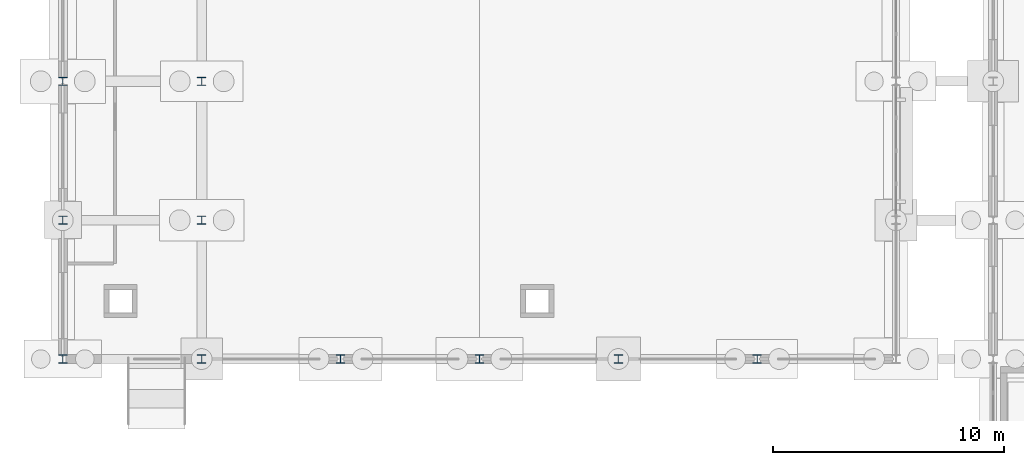
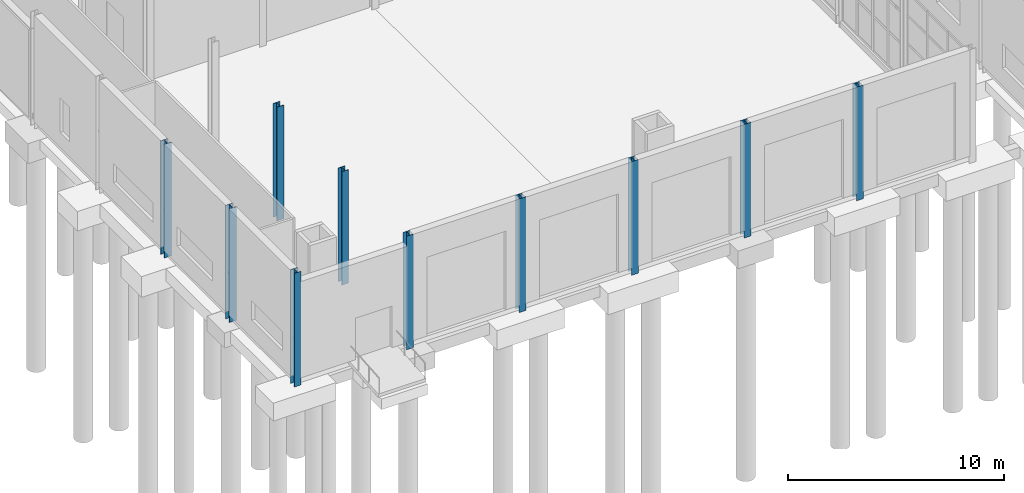
# One storey, part 8 of 120: 10 columns.
"""IFC4 building model written with IfcOpenShell, lengths in metres."""

import ifcopenshell
import ifcopenshell.guid

model = None  # the IFC model being written
_history = None  # IfcOwnerHistory: only IFC2X3 demands one
_inside = {}  # id of a spatial element -> (the spatial element, [elements in it])
_under = {}  # id of a project, library or spatial element -> (it, [spatial elements below it])
_declared = {}  # id of a project -> (the project, [libraries it declares])
_typed = {}  # id of a type object -> (the type object, [elements of that type])
_made_of = {}  # id of a material, layer set ... -> (it, [elements and type objects made of it])


def new_model(schema):
    """Start an empty IFC model of exactly this schema.

    Asked for "IFC4X3", IfcOpenShell would pick the latest addendum, in which some entities
    have other attributes; the version numbers below select the first issue.
    IFC2X3 requires an IfcOwnerHistory on every rooted entity: one is made here for all.
    """
    global model, _history
    if schema == "IFC4X3":
        model = ifcopenshell.file(schema_version=(4, 3, 0, 0))
    else:
        model = ifcopenshell.file(schema=schema)
    _inside.clear()
    _under.clear()
    _declared.clear()
    _typed.clear()
    _made_of.clear()
    _history = None
    if model.schema == "IFC2X3":
        org = make("IfcOrganization", Name="unknown")
        user = make(
            "IfcPersonAndOrganization",
            ThePerson=make("IfcPerson", FamilyName="unknown"),
            TheOrganization=org,
        )
        app = make(
            "IfcApplication",
            ApplicationDeveloper=org,
            Version="unknown",
            ApplicationFullName="unknown",
            ApplicationIdentifier="unknown",
        )
        _history = make(
            "IfcOwnerHistory",
            OwningUser=user,
            OwningApplication=app,
            ChangeAction="ADDED",
            CreationDate=0,
        )
    return model


def make(cls, **values):
    """One entity of the class cls with the attributes given. An attribute that is None is left unset."""
    return model.create_entity(
        cls, **{name: value for name, value in values.items() if value is not None}
    )


def rooted(cls, **values):
    """An entity with a GlobalId (a new one), such as an element, a storey or a relation."""
    return make(cls, GlobalId=ifcopenshell.guid.new(), OwnerHistory=_history, **values)


def si_unit(unit_type, name, prefix=None):
    """IfcSIUnit, for example si_unit("LENGTHUNIT", "METRE", prefix="MILLI")."""
    return make("IfcSIUnit", UnitType=unit_type, Prefix=prefix, Name=name)


def assignment(units):
    """IfcUnitAssignment: the units of a project."""
    return None if units is None else make("IfcUnitAssignment", Units=units)


def point(xyz):
    """IfcCartesianPoint."""
    return None if xyz is None else make("IfcCartesianPoint", Coordinates=xyz)


def direction(xyz):
    """IfcDirection."""
    return None if xyz is None else make("IfcDirection", DirectionRatios=xyz)


def frame(location, z_axis=None, x_axis=None):
    """IfcAxis2Placement3D, a coordinate frame: its origin and axes. An axis left out is left unset."""
    return make(
        "IfcAxis2Placement3D",
        Location=point(location),
        Axis=direction(z_axis),
        RefDirection=direction(x_axis),
    )


def frame_2d(location, x_axis=None):
    """IfcAxis2Placement2D, a coordinate frame in the plane: its origin and x axis."""
    return make(
        "IfcAxis2Placement2D", Location=point(location), RefDirection=direction(x_axis)
    )


def origin():
    """The frame at (0, 0, 0) with its axes left unset."""
    return frame((0.0, 0.0, 0.0))


def origin_2d():
    """The frame at (0, 0) in the plane with its x axis left unset."""
    return frame_2d((0.0, 0.0))


def place(relative_to, where):
    """IfcLocalPlacement: puts the frame where relative to a parent placement (None: the world)."""
    return make(
        "IfcLocalPlacement", PlacementRelTo=relative_to, RelativePlacement=where
    )


def context(
    kind, dimensions, precision=None, world=None, true_north=None, identifier=None
):
    """IfcGeometricRepresentationContext, for example the 3D "Model" context."""
    return make(
        "IfcGeometricRepresentationContext",
        ContextIdentifier=identifier,
        ContextType=kind,
        CoordinateSpaceDimension=dimensions,
        Precision=precision,
        WorldCoordinateSystem=world,
        TrueNorth=true_north,
    )


def subcontext(parent, identifier, kind, view, scale=None):
    """IfcGeometricRepresentationSubContext, for example "Body" below "Model"."""
    return make(
        "IfcGeometricRepresentationSubContext",
        ContextIdentifier=identifier,
        ContextType=kind,
        ParentContext=parent,
        TargetScale=scale,
        TargetView=view,
    )


def project(units=None, contexts=None):
    """IfcProject with its units and contexts."""
    return rooted(
        "IfcProject",
        Name="project",
        RepresentationContexts=contexts,
        UnitsInContext=assignment(units),
    )


def spatial(cls, under=None, at=None, **own):
    """A site, building, storey or space (cls), placed at a placement, below another one or the project."""
    s = rooted(cls, ObjectPlacement=at, **own)
    if under is not None:
        _under.setdefault(under.id(), (under, []))[1].append(s)
    return s


def profile(cls, at=None, kind="AREA", **sizes):
    """A parametric profile (cls). Its sizes go by their IFC names, for example OverallWidth=200.0."""
    return make(cls, ProfileType=kind, Position=at, **sizes)


def i_section(**sizes):
    """IfcIShapeProfileDef."""
    return profile("IfcIShapeProfileDef", **sizes)


def extrude(swept, where, along, depth):
    """IfcExtrudedAreaSolid: the profile swept, set in the frame where, extruded along a direction by depth."""
    return make(
        "IfcExtrudedAreaSolid",
        SweptArea=swept,
        Position=where,
        ExtrudedDirection=direction(along),
        Depth=depth,
    )


def shape(context_of_items, identifier, shape_type, items):
    """IfcShapeRepresentation: the items that make up one representation, for example the "Body"."""
    return make(
        "IfcShapeRepresentation",
        ContextOfItems=context_of_items,
        RepresentationIdentifier=identifier,
        RepresentationType=shape_type,
        Items=items,
    )


def material(Name=None, Category=None):
    """IfcMaterial."""
    return make("IfcMaterial", Name=Name, Category=Category)


def material_profile(
    of_material, cross_section, Name=None, Category=None, Priority=None
):
    """IfcMaterialProfile: a cross section and its material."""
    return make(
        "IfcMaterialProfile",
        Name=Name,
        Material=of_material,
        Profile=cross_section,
        Priority=Priority,
        Category=Category,
    )


def profile_set(profiles, Name=None, composite=None):
    """IfcMaterialProfileSet."""
    return make(
        "IfcMaterialProfileSet",
        Name=Name,
        MaterialProfiles=profiles,
        CompositeProfile=composite,
    )


def made_of(thing, what):
    """Note that an element or type object is made of a material, layer set ...; save() writes the relation."""
    if what is not None:
        _made_of.setdefault(what.id(), (what, []))[1].append(thing)
    return thing


def type_object(cls, material=None, **own):
    """A type object (cls), such as IfcWallType, which elements share."""
    return made_of(rooted(cls, **own), material)


def element(
    cls,
    number,
    at=None,
    inside=None,
    cuts=None,
    type_object=None,
    material=None,
    context=None,
    identifier="Body",
    shape_type=None,
    held_by="IfcProductDefinitionShape",
    body=None,
    shapes=None,
    **own,
):
    """One element of the class cls, such as IfcWall. Its Tag is "e" and its number.

    at: its placement. inside: the storey or other place that contains it. cuts: it is an
    opening in that element (IfcRelVoidsElement). A single representation is given by context,
    identifier, shape_type and body (its items); several are given by shapes. held_by: the class
    of the entity that holds the representations. save() writes the other relations.
    """
    e = rooted(cls, Tag="e%d" % number, ObjectPlacement=at, **own)
    if body is not None:
        shapes = [shape(context, identifier, shape_type, body)]
    if shapes is not None:
        e.Representation = make(held_by, Representations=shapes)
    if inside is not None:
        _inside.setdefault(inside.id(), (inside, []))[1].append(e)
    if cuts is not None:
        rooted(
            "IfcRelVoidsElement", RelatingBuildingElement=cuts, RelatedOpeningElement=e
        )
    if type_object is not None:
        _typed.setdefault(type_object.id(), (type_object, []))[1].append(e)
    return made_of(e, material)


def aggregate(whole, parts):
    """IfcRelAggregates: a whole, such as a stair, and the parts it consists of."""
    return rooted("IfcRelAggregates", RelatingObject=whole, RelatedObjects=parts)


def save(model, path):
    """Write the relations noted so far, then the file.

    IfcRelAggregates (storeys below a building ...), IfcRelContainedInSpatialStructure (elements
    in a storey), IfcRelDefinesByType, IfcRelAssociatesMaterial and IfcRelDeclares: one each for
    every whole, place, type object, material and project.
    """
    for whole, parts in _under.values():
        aggregate(whole, parts)
    for where, things in _inside.values():
        rooted(
            "IfcRelContainedInSpatialStructure",
            RelatedElements=things,
            RelatingStructure=where,
        )
    for kind, things in _typed.values():
        rooted("IfcRelDefinesByType", RelatedObjects=things, RelatingType=kind)
    for what, things in _made_of.values():
        rooted("IfcRelAssociatesMaterial", RelatedObjects=things, RelatingMaterial=what)
    for by, libraries in _declared.values():
        rooted("IfcRelDeclares", RelatingContext=by, RelatedDefinitions=libraries)
    model.write(path)


model = new_model("IFC4")

# Units and contexts
model_context = context("Model", 3, precision=1e-05, world=origin(), true_north=direction((0.0, 1.0)))
body_context = subcontext(model_context, "Body", "Model", "MODEL_VIEW")
ifc_project = project(units=[si_unit("LENGTHUNIT", "METRE"), si_unit("AREAUNIT", "SQUARE_METRE"), si_unit("VOLUMEUNIT", "CUBIC_METRE"), si_unit("PLANEANGLEUNIT", "RADIAN"), si_unit("MASSUNIT", "GRAM", prefix="KILO")], contexts=[model_context])

# Site, building, storey
site_placement = place(None, origin())
site = spatial("IfcSite", under=ifc_project, at=site_placement, CompositionType="ELEMENT")
building_placement = place(site_placement, origin())
building = spatial("IfcBuilding", under=site, at=building_placement, Name="Siltcreek Boulevard Central Fire Station", CompositionType="ELEMENT")
storey_placement = place(building_placement, origin())
storey = spatial("IfcBuildingStorey", under=building, at=storey_placement, Name="L01", CompositionType="ELEMENT", Elevation=0.0)

# Columns
ifc_material = material(Name="Structural steel ASTM A992 Gr50", Category="steel")
ifc_material_profile = material_profile(ifc_material, i_section(OverallWidth=0.368896484375, OverallDepth=0.35595703125, WebThickness=0.01123046875, FlangeThickness=0.01806640625, at=origin_2d()), Name="W360X134")
ifc_profile_set = profile_set([ifc_material_profile], Name="Structural steel ASTM A992 Gr50")
column_type = type_object("IfcColumnType", Name="COL_W360X134", PredefinedType="COLUMN", material=ifc_profile_set)
for number, where, z_axis, x_axis, name in (
    (1, (1.800048828125, 18.0, -0.409912109375), (0.0, 0.0, 1.0), (1.0, 0.0, 0.0), "L01 structural column COLG-L01-18-180"),
    (2, (1.800048828125, 24.0, -0.409912109375), (0.0, 0.0, 1.0), (1.0, 0.0, 0.0), "L01 structural column COLG-L01-18-240"),
    (3, (1.800048828125, 30.0, -0.409912109375), (0.0, 0.0, 1.0), (1.0, 0.0, 0.0), "L01 structural column COLG-L01-18-300"),
    (4, (7.800048828125, 18.0, -0.409912109375), (0.0, 0.0, 1.0), (1.0, 0.0, 0.0), "L01 structural column COLG-L01-78-180"),
    (5, (7.800048828125, 24.0, -0.409912109375), (0.0, 0.0, 1.0), (1.0, 0.0, 0.0), "L01 structural column COLG-L01-78-240"),
    (6, (7.800048828125, 30.0, -0.409912109375), (0.0, 0.0, 1.0), (1.0, 0.0, 0.0), "L01 structural column COLG-L01-78-300"),
    (7, (13.800048828125, 18.0, -0.409912109375), (0.0, 0.0, 1.0), (1.0, 0.0, 0.0), "L01 structural column COLG-L01-138-180"),
    (8, (19.800048828125, 18.0, -0.409912109375), (0.0, 0.0, 1.0), (1.0, 0.0, 0.0), "L01 structural column COLG-L01-198-180"),
    (9, (25.800048828125, 18.0, -0.409912109375), (0.0, 0.0, 1.0), (1.0, 0.0, 0.0), "L01 structural column COLG-L01-258-180"),
    (10, (31.800048828125, 18.0, -0.409912109375), (0.0, 0.0, 1.0), (1.0, 0.0, 0.0), "L01 structural column COLG-L01-318-180"),
):
    element("IfcColumn", number, at=place(storey_placement, frame(where, z_axis=z_axis, x_axis=x_axis)), inside=storey, type_object=column_type, Name=name, PredefinedType="COLUMN", context=body_context, shape_type="SweptSolid", body=[
        extrude(i_section(OverallWidth=0.368896484375, OverallDepth=0.35595703125, WebThickness=0.01123046875, FlangeThickness=0.01806640625, at=origin_2d()), origin(), (0.0, 0.0, 1.0), 6.409912109375),
    ])

save(model, "model.ifc")
